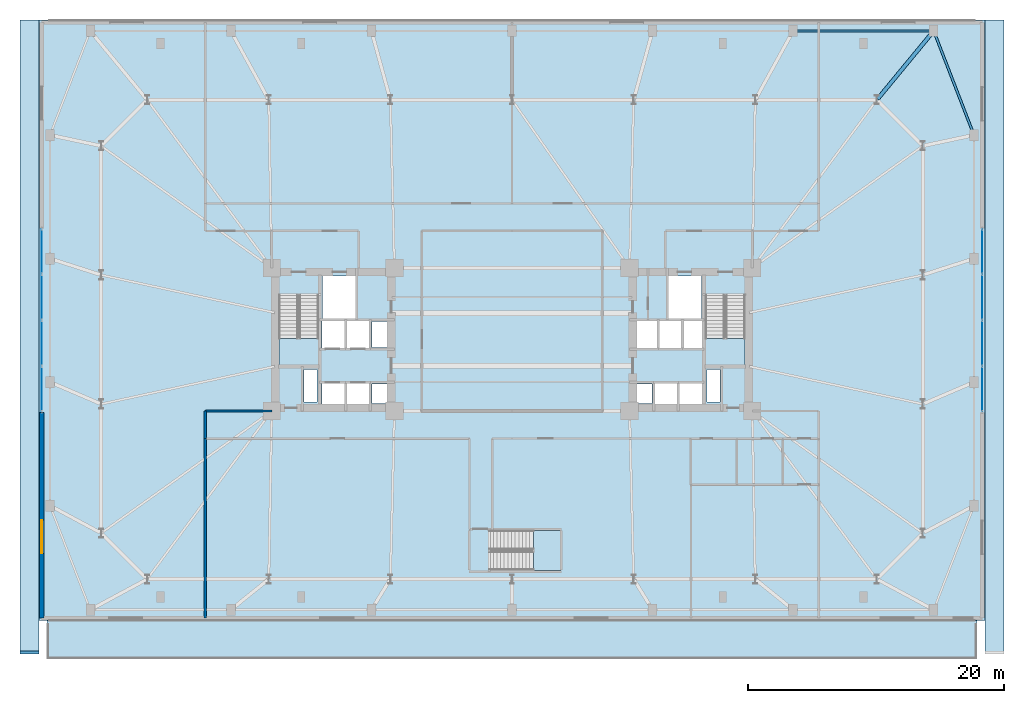
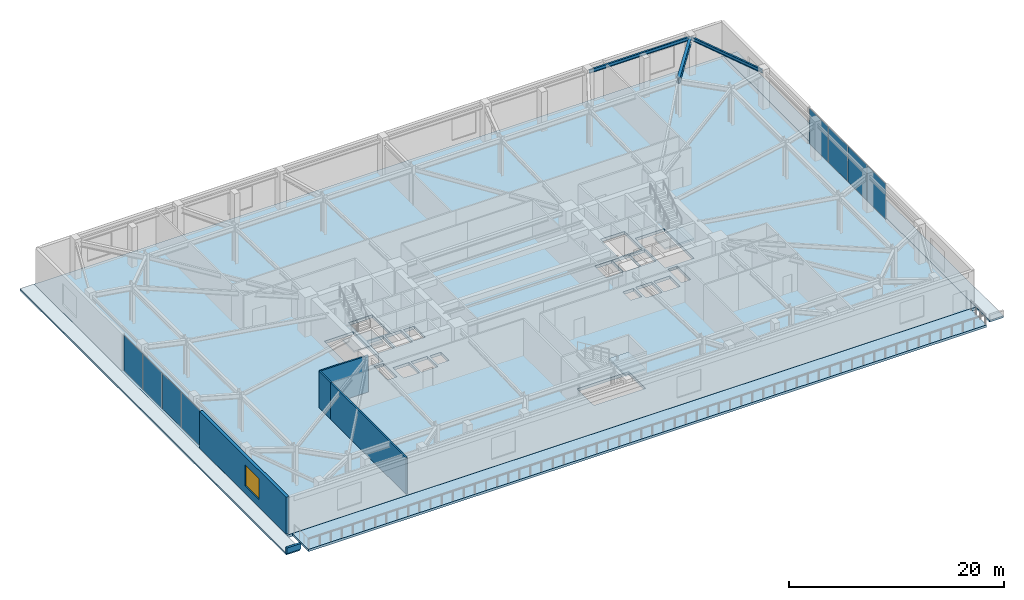
# One storey, part 12 of 21: 8 plates, 7 slabs, 5 walls, 3 beams, 1 window, 1 opening, 5 elements without a shape of their own.
"""IFC4 building model written with IfcOpenShell, lengths in metres."""

from ifc_helpers import new_model, si_unit, direction, frame, frame_2d, origin, origin_2d, place, context, subcontext, project, spatial, polyline, rectangle, i_section, outline, extrude, material, layer, layer_set, material_profile, profile_set, type_object, element, fill, aggregate, save


model = new_model("IFC4")

# Units and contexts
model_context = context("Model", 3, precision=1e-05, world=origin(), true_north=direction((0.0, 1.0)))
body_context = subcontext(model_context, "Body", "Model", "MODEL_VIEW")
ifc_project = project(units=[si_unit("LENGTHUNIT", "METRE"), si_unit("AREAUNIT", "SQUARE_METRE"), si_unit("VOLUMEUNIT", "CUBIC_METRE"), si_unit("PLANEANGLEUNIT", "RADIAN"), si_unit("MASSUNIT", "GRAM", prefix="KILO")], contexts=[model_context])

# Site, building, storey
site_placement = place(None, origin())
site = spatial("IfcSite", under=ifc_project, at=site_placement, CompositionType="ELEMENT")
building_placement = place(site_placement, origin())
building = spatial("IfcBuilding", under=site, at=building_placement, Name="Qobustan Lattice House", CompositionType="ELEMENT")
storey_placement = place(building_placement, frame((0.0, 0.0, 13.5)))
storey = spatial("IfcBuildingStorey", under=building, at=storey_placement, Name="L03", CompositionType="ELEMENT", Elevation=13.5)

# Beams
ifc_material_1 = material(Name="Steel S355", Category="steel")
ifc_material_profile_1 = material_profile(ifc_material_1, i_section(OverallWidth=0.300048828125, OverallDepth=0.60009765625, WebThickness=0.015380859375, FlangeThickness=0.030029296875, FilletRadius=0.027099609375, at=origin_2d()), Name="HEB600")
ifc_profile_set_1 = profile_set([ifc_material_profile_1], Name="Steel S355")
beam_type_1 = type_object("IfcBeamType", Name="BM-POD-HEB600", PredefinedType="USERDEFINED", material=ifc_profile_set_1)
beam_1_placement = place(storey_placement, frame((32.923583984375, 24.057373046875, 3.8701171875), z_axis=(-0.635954703728, -0.771726385973, 0.0), x_axis=(0.771726385973, -0.635954703728, 0.0)))
element("IfcBeam", 1, at=beam_1_placement, inside=storey, type_object=beam_type_1, Name="L03 podium radial girder PN7", ObjectType="GIRDER", PredefinedType="USERDEFINED", context=body_context, shape_type="SweptSolid", body=[
    extrude(i_section(OverallWidth=0.300048828125, OverallDepth=0.60009765625, WebThickness=0.015380859375, FlangeThickness=0.030029296875, FilletRadius=0.027099609375, at=origin_2d()), origin(), (0.0, 0.0, 1.0), 6.77734375),
])
ifc_material_2 = material(Name="Steel S355", Category="steel")
ifc_material_profile_2 = material_profile(ifc_material_2, i_section(OverallWidth=0.179931640625, OverallDepth=0.39990234375, WebThickness=0.008544921875, FlangeThickness=0.013427734375, FilletRadius=0.02099609375, at=origin_2d()), Name="IPE400")
ifc_profile_set_2 = profile_set([ifc_material_profile_2], Name="Steel S355")
beam_type_2 = type_object("IfcBeamType", Name="BM-SPD-IPE400", PredefinedType="SPANDREL", material=ifc_profile_set_2)
beam_2_placement = place(storey_placement, frame((22.1201171875, 24.14990234375, 3.969970703125), z_axis=(1.0, 0.0, 0.0), x_axis=(0.0, 1.0, 0.0)))
element("IfcBeam", 2, at=beam_2_placement, inside=storey, type_object=beam_type_2, Name="L03 podium spandrel PN6-PN7", PredefinedType="SPANDREL", context=body_context, shape_type="SweptSolid", body=[
    extrude(i_section(OverallWidth=0.179931640625, OverallDepth=0.39990234375, WebThickness=0.008544921875, FlangeThickness=0.013427734375, FilletRadius=0.02099609375, at=origin_2d()), origin(), (0.0, 0.0, 1.0), 10.759765625),
])
beam_3_placement = place(storey_placement, frame((33.043212890625, 24.0380859375, 3.969970703125), z_axis=(0.360516886299, -0.932752686779, 0.0), x_axis=(0.932752686779, 0.360516886299, 0.0)))
element("IfcBeam", 3, at=beam_3_placement, inside=storey, type_object=beam_type_2, Name="L03 podium corner tie PN7-PE4", PredefinedType="SPANDREL", context=body_context, shape_type="SweptSolid", body=[
    extrude(i_section(OverallWidth=0.179931640625, OverallDepth=0.39990234375, WebThickness=0.008544921875, FlangeThickness=0.013427734375, FilletRadius=0.02099609375, at=origin_2d()), origin(), (0.0, 0.0, 1.0), 8.49755859375),
])

# Curtain wall, plates
ifc_material_3 = material(Name="Anodised aluminium and low-E glazing", Category="aluminium")
ifc_layer_1 = layer(ifc_material_3, 0.219970703125)
ifc_layer_set_1 = layer_set([ifc_layer_1], Name="Anodised aluminium and low-E glazing")
curtain_wall_type = type_object("IfcCurtainWallType", Name="CW-POD-01", PredefinedType="USERDEFINED", material=ifc_layer_set_1)
curtain_wall_1_placement = place(storey_placement, origin())
curtain_wall_1 = element("IfcCurtainWall", 4, at=curtain_wall_1_placement, inside=storey, type_object=curtain_wall_type, Name="L03 W podium colonnade curtain wall", ObjectType="CURTAIN WALL", PredefinedType="USERDEFINED")
ifc_material_4 = material(Name="Clear low-E laminated glass", Category="glass")
ifc_layer_2 = layer(ifc_material_4, 0.031982421875)
ifc_layer_set_2 = layer_set([ifc_layer_2], Name="Clear low-E laminated glass")
plate_type = type_object("IfcPlateType", Name="CWP-VISION-32", PredefinedType="CURTAIN_PANEL", material=ifc_layer_set_2)
plate_1_placement = place(storey_placement, frame((-36.800048828125, -3.8798828125, 0.06494140625), z_axis=(0.0, 0.0, 1.0), x_axis=(0.0, 1.0, 0.0)))
plate_1 = element("IfcPlate", 5, at=plate_1_placement, type_object=plate_type, Name="CW-P1 panel 1.1", PredefinedType="CURTAIN_PANEL", context=body_context, shape_type="SweptSolid", body=[
    extrude(rectangle(XDim=3.47998046875, YDim=0.031982421875, at=origin_2d()), origin(), (0.0, 0.0, 1.0), 4.0400390625),
])
plate_2_placement = place(storey_placement, frame((-36.800048828125, -0.300048828125, 0.06494140625), z_axis=(0.0, 0.0, 1.0), x_axis=(0.0, 1.0, 0.0)))
plate_2 = element("IfcPlate", 6, at=plate_2_placement, type_object=plate_type, Name="CW-P1 panel 2.1", PredefinedType="CURTAIN_PANEL", context=body_context, shape_type="SweptSolid", body=[
    extrude(rectangle(XDim=3.52001953125, YDim=0.031982421875, at=origin_2d()), origin(), (0.0, 0.0, 1.0), 4.0400390625),
])
plate_3_placement = place(storey_placement, frame((-36.800048828125, 3.300048828125, 0.06494140625), z_axis=(0.0, 0.0, 1.0), x_axis=(0.0, 1.0, 0.0)))
plate_3 = element("IfcPlate", 7, at=plate_3_placement, type_object=plate_type, Name="CW-P1 panel 3.1", PredefinedType="CURTAIN_PANEL", context=body_context, shape_type="SweptSolid", body=[
    extrude(rectangle(XDim=3.52001953125, YDim=0.031982421875, at=origin_2d()), origin(), (0.0, 0.0, 1.0), 4.0400390625),
])
plate_4_placement = place(storey_placement, frame((-36.800048828125, 6.8798828125, 0.06494140625), z_axis=(0.0, 0.0, 1.0), x_axis=(0.0, 1.0, 0.0)))
plate_4 = element("IfcPlate", 8, at=plate_4_placement, type_object=plate_type, Name="CW-P1 panel 4.1", PredefinedType="CURTAIN_PANEL", context=body_context, shape_type="SweptSolid", body=[
    extrude(rectangle(XDim=3.47998046875, YDim=0.031982421875, at=origin_2d()), origin(), (0.0, 0.0, 1.0), 4.0400390625),
])
aggregate(curtain_wall_1, [plate_1, plate_2, plate_3, plate_4])

curtain_wall_2_placement = place(storey_placement, origin())
curtain_wall_2 = element("IfcCurtainWall", 9, at=curtain_wall_2_placement, inside=storey, type_object=curtain_wall_type, Name="L03 E podium colonnade curtain wall", ObjectType="CURTAIN WALL", PredefinedType="USERDEFINED")
plate_5_placement = place(storey_placement, frame((36.800048828125, 6.8798828125, 0.06494140625), z_axis=(0.0, 0.0, 1.0), x_axis=(0.0, -1.0, 0.0)))
plate_5 = element("IfcPlate", 10, at=plate_5_placement, type_object=plate_type, Name="CW-P1 panel 1.1", PredefinedType="CURTAIN_PANEL", context=body_context, shape_type="SweptSolid", body=[
    extrude(rectangle(XDim=3.47998046875, YDim=0.031982421875, at=origin_2d()), origin(), (0.0, 0.0, 1.0), 4.0400390625),
])
plate_6_placement = place(storey_placement, frame((36.800048828125, 3.300048828125, 0.06494140625), z_axis=(0.0, 0.0, 1.0), x_axis=(0.0, -1.0, 0.0)))
plate_6 = element("IfcPlate", 11, at=plate_6_placement, type_object=plate_type, Name="CW-P1 panel 2.1", PredefinedType="CURTAIN_PANEL", context=body_context, shape_type="SweptSolid", body=[
    extrude(rectangle(XDim=3.52001953125, YDim=0.031982421875, at=origin_2d()), origin(), (0.0, 0.0, 1.0), 4.0400390625),
])
plate_7_placement = place(storey_placement, frame((36.800048828125, -0.300048828125, 0.06494140625), z_axis=(0.0, 0.0, 1.0), x_axis=(0.0, -1.0, 0.0)))
plate_7 = element("IfcPlate", 12, at=plate_7_placement, type_object=plate_type, Name="CW-P1 panel 3.1", PredefinedType="CURTAIN_PANEL", context=body_context, shape_type="SweptSolid", body=[
    extrude(rectangle(XDim=3.52001953125, YDim=0.031982421875, at=origin_2d()), origin(), (0.0, 0.0, 1.0), 4.0400390625),
])
plate_8_placement = place(storey_placement, frame((36.800048828125, -3.8798828125, 0.06494140625), z_axis=(0.0, 0.0, 1.0), x_axis=(0.0, -1.0, 0.0)))
plate_8 = element("IfcPlate", 13, at=plate_8_placement, type_object=plate_type, Name="CW-P1 panel 4.1", PredefinedType="CURTAIN_PANEL", context=body_context, shape_type="SweptSolid", body=[
    extrude(rectangle(XDim=3.47998046875, YDim=0.031982421875, at=origin_2d()), origin(), (0.0, 0.0, 1.0), 4.0400390625),
])
aggregate(curtain_wall_2, [plate_5, plate_6, plate_7, plate_8])

# Slab
ifc_material_5 = material(Name="Concrete C45/55", Category="concrete")
ifc_layer_3 = layer(ifc_material_5, 0.330078125)
ifc_layer_set_3 = layer_set([ifc_layer_3], Name="Concrete C45/55")
slab_type_1 = type_object("IfcSlabType", Name="SLB-FLR-330", PredefinedType="FLOOR", material=ifc_layer_set_3)
slab_1_placement = place(storey_placement, frame((0.0, 0.0, -0.330078125)))
element("IfcSlab", 14, at=slab_1_placement, inside=storey, type_object=slab_type_1, Name="L03 structural floor slab", PredefinedType="FLOOR", context=body_context, shape_type="SweptSolid", body=[
    extrude(outline(polyline([(-37.0, -22.0), (37.0, -22.0), (37.0, 25.0), (-37.0, 25.0), (-37.0, -22.0)]), holes=[polyline([(-18.25, -2.050048828125), (-18.25, 3.489990234375), (-15.1298828125, 3.489990234375), (-15.1298828125, -2.050048828125), (-18.25, -2.050048828125)]), polyline([(15.1298828125, -2.050048828125), (15.1298828125, 3.489990234375), (18.25, 3.489990234375), (18.25, -2.050048828125), (15.1298828125, -2.050048828125)]), polyline([(-14.820068359375, 1.64990234375), (-14.820068359375, 4.9599609375), (-12.25, 4.9599609375), (-12.25, 1.64990234375), (-14.820068359375, 1.64990234375)]), polyline([(12.25, 1.64990234375), (12.25, 4.9599609375), (14.820068359375, 4.9599609375), (14.820068359375, 1.64990234375), (12.25, 1.64990234375)]), polyline([(-16.260009765625, -4.8798828125), (-16.260009765625, -2.360107421875), (-15.260009765625, -2.360107421875), (-15.260009765625, -4.8798828125), (-16.260009765625, -4.8798828125)]), polyline([(15.260009765625, -4.8798828125), (15.260009765625, -2.360107421875), (16.260009765625, -2.360107421875), (16.260009765625, -4.8798828125), (15.260009765625, -4.8798828125)]), polyline([(-14.85009765625, -5.35009765625), (-14.85009765625, -3.419921875), (-13.1201171875, -3.419921875), (-13.1201171875, -5.35009765625), (-14.85009765625, -5.35009765625)]), polyline([(-12.919921875, -5.35009765625), (-12.919921875, -3.419921875), (-11.179931640625, -3.419921875), (-11.179931640625, -5.35009765625), (-12.919921875, -5.35009765625)]), polyline([(-14.85009765625, -0.679931640625), (-14.85009765625, 1.47998046875), (-13.1201171875, 1.47998046875), (-13.1201171875, -0.679931640625), (-14.85009765625, -0.679931640625)]), polyline([(-12.919921875, -0.679931640625), (-12.919921875, 1.47998046875), (-11.179931640625, 1.47998046875), (-11.179931640625, -0.679931640625), (-12.919921875, -0.679931640625)]), polyline([(-10.93994140625, -5.0), (-10.93994140625, -3.47998046875), (-9.760009765625, -3.47998046875), (-9.760009765625, -5.0), (-10.93994140625, -5.0)]), polyline([(-10.93994140625, -0.6201171875), (-10.93994140625, 1.419921875), (-9.760009765625, 1.419921875), (-9.760009765625, -0.6201171875), (-10.93994140625, -0.6201171875)]), polyline([(11.179931640625, -5.35009765625), (11.179931640625, -3.419921875), (12.919921875, -3.419921875), (12.919921875, -5.35009765625), (11.179931640625, -5.35009765625)]), polyline([(13.1201171875, -5.35009765625), (13.1201171875, -3.419921875), (14.85009765625, -3.419921875), (14.85009765625, -5.35009765625), (13.1201171875, -5.35009765625)]), polyline([(9.760009765625, -5.0), (9.760009765625, -3.47998046875), (10.93994140625, -3.47998046875), (10.93994140625, -5.0), (9.760009765625, -5.0)]), polyline([(13.360107421875, -0.679931640625), (13.360107421875, 1.47998046875), (14.97998046875, 1.47998046875), (14.97998046875, -0.679931640625), (13.360107421875, -0.679931640625)]), polyline([(9.6201171875, -0.679931640625), (9.6201171875, 1.47998046875), (11.43994140625, 1.47998046875), (11.43994140625, -0.679931640625), (9.6201171875, -0.679931640625)]), polyline([(11.5, -0.679931640625), (11.5, 1.47998046875), (13.320068359375, 1.47998046875), (13.320068359375, -0.679931640625), (11.5, -0.679931640625)]), polyline([(-1.739990234375, -18.06005859375), (-1.739990234375, -14.93994140625), (3.800048828125, -14.93994140625), (3.800048828125, -18.06005859375), (-1.739990234375, -18.06005859375)])]), origin(), (0.0, 0.0, 1.0), 0.330078125),
])

# Stair, slab
ifc_material_6 = material(Name="Concrete C40/50", Category="concrete")
stair_type_1 = type_object("IfcStairType", Name="STR-CORE-DOGLEG", PredefinedType="HALF_TURN_STAIR", material=ifc_material_6)
stair_1_placement = place(storey_placement, origin())
stair_1 = element("IfcStair", 15, at=stair_1_placement, inside=storey, type_object=stair_type_1, Name="L03 West protected exit stair ST-W1", PredefinedType="HALF_TURN_STAIR")
ifc_material_7 = material(Name="Concrete C40/50", Category="concrete")
ifc_layer_4 = layer(ifc_material_7, 0.199951171875)
ifc_layer_set_4 = layer_set([ifc_layer_4], Name="Concrete C40/50")
slab_type_2 = type_object("IfcSlabType", Name="SLB-LANDING-200", PredefinedType="LANDING", material=ifc_layer_set_4)
slab_2_placement = place(storey_placement, frame((0.0, 0.0, 2.050048828125)))
slab_2 = element("IfcSlab", 16, at=slab_2_placement, type_object=slab_type_2, Name="ST-W1 landing 1", PredefinedType="LANDING", context=body_context, shape_type="SweptSolid", body=[
    extrude(outline(polyline([(-18.25, 0.080078125), (-18.25, -2.050048828125), (-15.1298828125, -2.050048828125), (-15.1298828125, 0.080078125), (-18.25, 0.080078125)])), origin(), (0.0, 0.0, 1.0), 0.199951171875),
])
aggregate(stair_1, [slab_2])

stair_2_placement = place(storey_placement, origin())
stair_2 = element("IfcStair", 17, at=stair_2_placement, inside=storey, type_object=stair_type_1, Name="L03 East protected exit stair ST-E1", PredefinedType="HALF_TURN_STAIR")
slab_3_placement = place(storey_placement, frame((0.0, 0.0, 2.050048828125)))
slab_3 = element("IfcSlab", 18, at=slab_3_placement, type_object=slab_type_2, Name="ST-E1 landing 1", PredefinedType="LANDING", context=body_context, shape_type="SweptSolid", body=[
    extrude(outline(polyline([(15.1298828125, 0.080078125), (15.1298828125, -2.050048828125), (18.25, -2.050048828125), (18.25, 0.080078125), (15.1298828125, 0.080078125)])), origin(), (0.0, 0.0, 1.0), 0.199951171875),
])
aggregate(stair_2, [slab_3])

ifc_material_8 = material(Name="Concrete C40/50", Category="concrete")
stair_type_2 = type_object("IfcStairType", Name="STR-POD-DOGLEG", PredefinedType="DOUBLE_RETURN_STAIR", material=ifc_material_8)
stair_3_placement = place(storey_placement, origin())
stair_3 = element("IfcStair", 19, at=stair_3_placement, inside=storey, type_object=stair_type_2, Name="L03 Podium garden exit stair ST-P1", PredefinedType="DOUBLE_RETURN_STAIR")
slab_4_placement = place(storey_placement, frame((0.0, 0.0, 2.050048828125)))
slab_4 = element("IfcSlab", 20, at=slab_4_placement, type_object=slab_type_2, Name="ST-P1 landing 1", PredefinedType="LANDING", context=body_context, shape_type="SweptSolid", body=[
    extrude(outline(polyline([(1.669921875, -18.06005859375), (3.800048828125, -18.06005859375), (3.800048828125, -14.93994140625), (1.669921875, -14.93994140625), (1.669921875, -18.06005859375)])), origin(), (0.0, 0.0, 1.0), 0.199951171875),
])
aggregate(stair_3, [slab_4])

# Slabs
ifc_material_9 = material(Name="Concrete C40/50", Category="concrete")
ifc_layer_5 = layer(ifc_material_9, 0.2099609375)
ifc_layer_set_5 = layer_set([ifc_layer_5], Name="Concrete C40/50")
slab_type_3 = type_object("IfcSlabType", Name="SLB-ROOF-210", PredefinedType="ROOF", material=ifc_layer_set_5)
slab_5_placement = place(storey_placement, frame((0.0, 0.0, -0.2099609375)))
element("IfcSlab", 21, at=slab_5_placement, inside=storey, type_object=slab_type_3, Name="L03 W podium setback roof slab", PredefinedType="ROOF", context=body_context, shape_type="SweptSolid", body=[
    extrude(outline(polyline([(-38.5, -24.5), (-37.0, -24.5), (-37.0, 25.0), (-38.5, 25.0), (-38.5, -24.5)])), origin(), (0.0, 0.0, 1.0), 0.2099609375),
])
slab_6_placement = place(storey_placement, frame((0.0, 0.0, -0.2099609375)))
element("IfcSlab", 22, at=slab_6_placement, inside=storey, type_object=slab_type_3, Name="L03 E podium setback roof slab", PredefinedType="ROOF", context=body_context, shape_type="SweptSolid", body=[
    extrude(outline(polyline([(37.0, -24.5), (38.5, -24.5), (38.5, 25.0), (37.0, 25.0), (37.0, -24.5)])), origin(), (0.0, 0.0, 1.0), 0.2099609375),
])
ifc_material_10 = material(Name="Concrete C40/50", Category="concrete")
ifc_layer_6 = layer(ifc_material_10, 0.27001953125)
ifc_layer_set_6 = layer_set([ifc_layer_6], Name="Concrete C40/50")
slab_type_4 = type_object("IfcSlabType", Name="SLB-TER-270", PredefinedType="FLOOR", material=ifc_layer_set_6)
slab_7_placement = place(storey_placement, frame((0.0, 0.0, -0.27001953125)))
element("IfcSlab", 23, at=slab_7_placement, inside=storey, type_object=slab_type_4, Name="L03 south podium garden terrace slab", PredefinedType="FLOOR", context=body_context, shape_type="SweptSolid", body=[
    extrude(outline(polyline([(-36.39990234375, -25.0), (36.39990234375, -25.0), (36.39990234375, -22.0), (-36.39990234375, -22.0), (-36.39990234375, -25.0)])), origin(), (0.0, 0.0, 1.0), 0.27001953125),
])

# Wall, opening, window
ifc_material_11 = material(Name="Precast concrete C40/50", Category="concrete")
ifc_layer_7 = layer(ifc_material_11, 0.320068359375)
ifc_layer_set_7 = layer_set([ifc_layer_7], Name="Precast concrete C40/50")
wall_type_1 = type_object("IfcWallType", Name="WAL-EXT-STONE-320", PredefinedType="SOLIDWALL", material=ifc_layer_set_7)
wall_1_placement = place(storey_placement, frame((-36.800048828125, -21.800048828125, 0.0), z_axis=(0.0, 0.0, 1.0), x_axis=(0.0, 1.0, 0.0)))
wall_1 = element("IfcWall", 24, at=wall_1_placement, inside=storey, type_object=wall_type_1, Name="L03 podium stone wall 1A", PredefinedType="SOLIDWALL", context=body_context, shape_type="SweptSolid", body=[
    extrude(rectangle(XDim=16.10009765625, YDim=0.320068359375, at=frame_2d((8.050048828125, 0.0))), origin(), (0.0, 0.0, 1.0), 4.169921875),
])
opening_placement = place(wall_1_placement, frame((5.0673828125, 0.0, 0.85009765625)))
opening = element("IfcOpeningElement", 25, at=opening_placement, cuts=wall_1, Name="Opening WN-06", PredefinedType="OPENING", context=body_context, shape_type="SweptSolid", body=[
    extrude(rectangle(XDim=2.60009765625, YDim=2.39990234375, at=frame_2d((1.300048828125, 1.199951171875))), frame((0.0, 0.169921875, 0.0), z_axis=(0.0, -1.0, 0.0), x_axis=(1.0, 0.0, 0.0)), (0.0, 0.0, 1.0), 0.340087890625),
])
ifc_material_12 = material(Name="Double-glazed low-E aluminium window", Category="aluminium")
window_type = type_object("IfcWindowType", Name="WIN-POD-2600x2400", PartitioningType="SINGLE_PANEL", PredefinedType="WINDOW", material=ifc_material_12)
window_placement = place(opening_placement, origin())
window = element("IfcWindow", 26, at=window_placement, inside=storey, type_object=window_type, Name="L03 Wellness fitness gymnasium window", OverallHeight=2.39990234375, OverallWidth=2.60009765625, PartitioningType="SINGLE_PANEL", PredefinedType="WINDOW", context=body_context, shape_type="SweptSolid", body=[
    extrude(rectangle(XDim=2.60009765625, YDim=2.39990234375, at=frame_2d((1.300048828125, 1.199951171875))), frame((0.0, 0.030029296875, 0.0), z_axis=(0.0, -1.0, 0.0), x_axis=(1.0, 0.0, 0.0)), (0.0, 0.0, 1.0), 0.06005859375),
])
fill(opening, window)

# Walls
ifc_material_13 = material(Name="Precast concrete C40/50", Category="concrete")
ifc_layer_8 = layer(ifc_material_13, 0.219970703125)
ifc_layer_set_8 = layer_set([ifc_layer_8], Name="Precast concrete C40/50")
wall_type_2 = type_object("IfcWallType", Name="WAL-PARAPET-220", PredefinedType="PARAPET", material=ifc_layer_set_8)
wall_2_placement = place(storey_placement, frame((-38.5, -24.5, 0.0), z_axis=(0.0, 0.0, 1.0), x_axis=(1.0, 0.0, 0.0)))
element("IfcWall", 27, at=wall_2_placement, inside=storey, type_object=wall_type_2, Name="L03 maintenance roof parapet 1", PredefinedType="PARAPET", context=body_context, shape_type="SweptSolid", body=[
    extrude(rectangle(XDim=1.5, YDim=0.219970703125, at=frame_2d((0.75, 0.0))), origin(), (0.0, 0.0, 1.0), 0.64990234375),
])
ifc_material_14 = material(Name="High-mass acoustic twin-stud partition", Category="gypsum")
ifc_layer_9 = layer(ifc_material_14, 0.1650390625)
ifc_layer_set_9 = layer_set([ifc_layer_9], Name="High-mass acoustic twin-stud partition")
wall_type_3 = type_object("IfcWallType", Name="WAL-PART-165", PredefinedType="PARTITIONING", material=ifc_layer_set_9)
wall_3_placement = place(storey_placement, frame((-24.0, -5.60009765625, 0.0), z_axis=(0.0, 0.0, 1.0), x_axis=(1.0, 0.0, 0.0)))
element("IfcWall", 28, at=wall_3_placement, inside=storey, type_object=wall_type_3, Name="L03 interior partition 46", PredefinedType="PARTITIONING", context=body_context, shape_type="SweptSolid", body=[
    extrude(rectangle(XDim=5.199951171875, YDim=0.1650390625, at=frame_2d((2.60009765625, 0.0))), origin(), (0.0, 0.0, 1.0), 4.169921875),
])
wall_4_placement = place(storey_placement, frame((-24.0, -7.75, 0.0), z_axis=(0.0, 0.0, 1.0), x_axis=(0.0, 1.0, 0.0)))
element("IfcWall", 29, at=wall_4_placement, inside=storey, type_object=wall_type_3, Name="L03 interior partition 47", PredefinedType="PARTITIONING", context=body_context, shape_type="SweptSolid", body=[
    extrude(rectangle(XDim=2.14990234375, YDim=0.1650390625, at=frame_2d((1.074951171875, 0.0))), origin(), (0.0, 0.0, 1.0), 4.169921875),
])
wall_5_placement = place(storey_placement, frame((-24.0, -21.800048828125, 0.0), z_axis=(0.0, 0.0, 1.0), x_axis=(0.0, 1.0, 0.0)))
element("IfcWall", 30, at=wall_5_placement, inside=storey, type_object=wall_type_3, Name="L03 interior partition 60", PredefinedType="PARTITIONING", context=body_context, shape_type="SweptSolid", body=[
    extrude(rectangle(XDim=14.050048828125, YDim=0.1650390625, at=frame_2d((7.02490234375, 0.0))), origin(), (0.0, 0.0, 1.0), 4.169921875),
])

save(model, "model.ifc")
